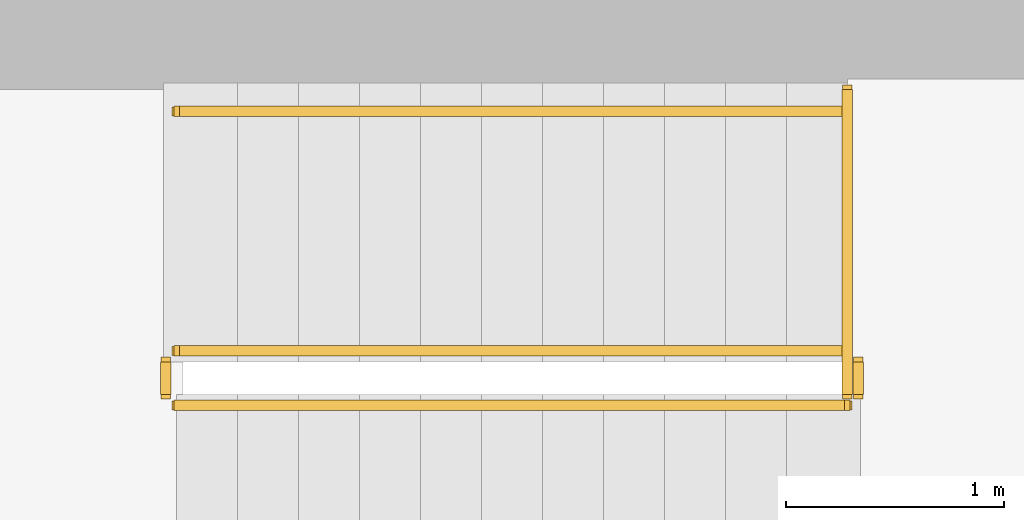
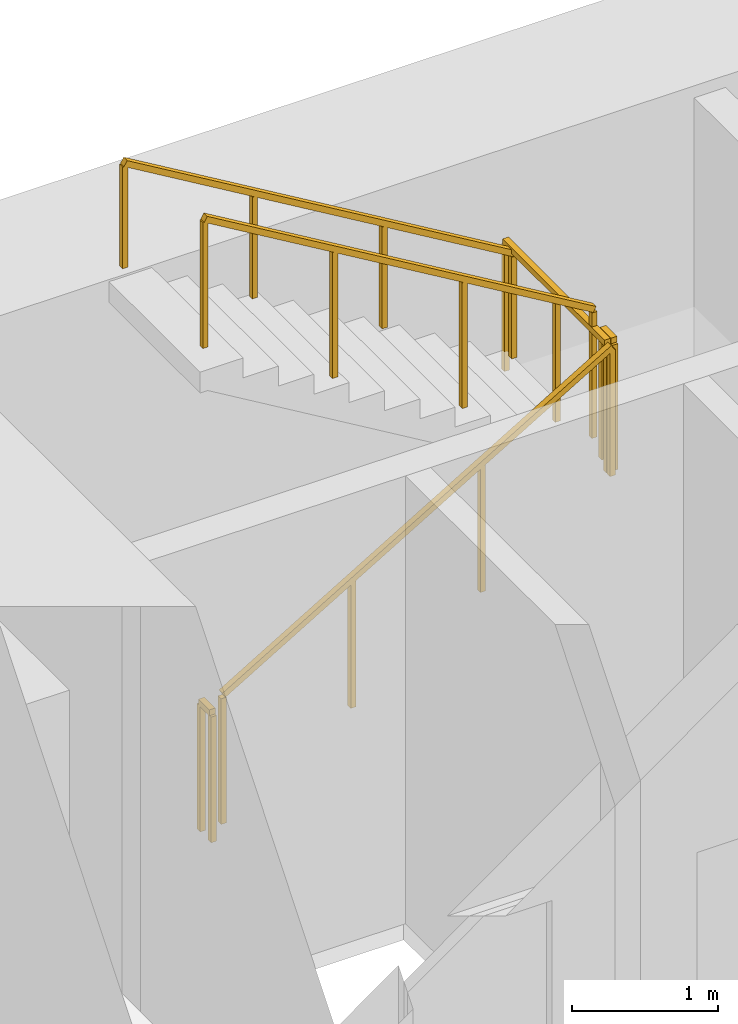
# One storey, part 15 of 16: 6 railings.
"""IFC4 building model written with IfcOpenShell, lengths in metres."""

import ifcopenshell
import ifcopenshell.guid

model = None  # the IFC model being written
_history = None  # IfcOwnerHistory: only IFC2X3 demands one
_inside = {}  # id of a spatial element -> (the spatial element, [elements in it])
_under = {}  # id of a project, library or spatial element -> (it, [spatial elements below it])
_declared = {}  # id of a project -> (the project, [libraries it declares])
_typed = {}  # id of a type object -> (the type object, [elements of that type])
_made_of = {}  # id of a material, layer set ... -> (it, [elements and type objects made of it])


def new_model(schema):
    """Start an empty IFC model of exactly this schema.

    Asked for "IFC4X3", IfcOpenShell would pick the latest addendum, in which some entities
    have other attributes; the version numbers below select the first issue.
    IFC2X3 requires an IfcOwnerHistory on every rooted entity: one is made here for all.
    """
    global model, _history
    if schema == "IFC4X3":
        model = ifcopenshell.file(schema_version=(4, 3, 0, 0))
    else:
        model = ifcopenshell.file(schema=schema)
    _inside.clear()
    _under.clear()
    _declared.clear()
    _typed.clear()
    _made_of.clear()
    _history = None
    if model.schema == "IFC2X3":
        org = make("IfcOrganization", Name="unknown")
        user = make(
            "IfcPersonAndOrganization",
            ThePerson=make("IfcPerson", FamilyName="unknown"),
            TheOrganization=org,
        )
        app = make(
            "IfcApplication",
            ApplicationDeveloper=org,
            Version="unknown",
            ApplicationFullName="unknown",
            ApplicationIdentifier="unknown",
        )
        _history = make(
            "IfcOwnerHistory",
            OwningUser=user,
            OwningApplication=app,
            ChangeAction="ADDED",
            CreationDate=0,
        )
    return model


def make(cls, **values):
    """One entity of the class cls with the attributes given. An attribute that is None is left unset."""
    return model.create_entity(
        cls, **{name: value for name, value in values.items() if value is not None}
    )


def rooted(cls, **values):
    """An entity with a GlobalId (a new one), such as an element, a storey or a relation."""
    return make(cls, GlobalId=ifcopenshell.guid.new(), OwnerHistory=_history, **values)


def si_unit(unit_type, name, prefix=None):
    """IfcSIUnit, for example si_unit("LENGTHUNIT", "METRE", prefix="MILLI")."""
    return make("IfcSIUnit", UnitType=unit_type, Prefix=prefix, Name=name)


def assignment(units):
    """IfcUnitAssignment: the units of a project."""
    return None if units is None else make("IfcUnitAssignment", Units=units)


def point(xyz):
    """IfcCartesianPoint."""
    return None if xyz is None else make("IfcCartesianPoint", Coordinates=xyz)


def direction(xyz):
    """IfcDirection."""
    return None if xyz is None else make("IfcDirection", DirectionRatios=xyz)


def frame(location, z_axis=None, x_axis=None):
    """IfcAxis2Placement3D, a coordinate frame: its origin and axes. An axis left out is left unset."""
    return make(
        "IfcAxis2Placement3D",
        Location=point(location),
        Axis=direction(z_axis),
        RefDirection=direction(x_axis),
    )


def frame_2d(location, x_axis=None):
    """IfcAxis2Placement2D, a coordinate frame in the plane: its origin and x axis."""
    return make(
        "IfcAxis2Placement2D", Location=point(location), RefDirection=direction(x_axis)
    )


def origin():
    """The frame at (0, 0, 0) with its axes left unset."""
    return frame((0.0, 0.0, 0.0))


def origin_2d():
    """The frame at (0, 0) in the plane with its x axis left unset."""
    return frame_2d((0.0, 0.0))


def place(relative_to, where):
    """IfcLocalPlacement: puts the frame where relative to a parent placement (None: the world)."""
    return make(
        "IfcLocalPlacement", PlacementRelTo=relative_to, RelativePlacement=where
    )


def context(
    kind, dimensions, precision=None, world=None, true_north=None, identifier=None
):
    """IfcGeometricRepresentationContext, for example the 3D "Model" context."""
    return make(
        "IfcGeometricRepresentationContext",
        ContextIdentifier=identifier,
        ContextType=kind,
        CoordinateSpaceDimension=dimensions,
        Precision=precision,
        WorldCoordinateSystem=world,
        TrueNorth=true_north,
    )


def subcontext(parent, identifier, kind, view, scale=None):
    """IfcGeometricRepresentationSubContext, for example "Body" below "Model"."""
    return make(
        "IfcGeometricRepresentationSubContext",
        ContextIdentifier=identifier,
        ContextType=kind,
        ParentContext=parent,
        TargetScale=scale,
        TargetView=view,
    )


def project(units=None, contexts=None):
    """IfcProject with its units and contexts."""
    return rooted(
        "IfcProject",
        Name="project",
        RepresentationContexts=contexts,
        UnitsInContext=assignment(units),
    )


def spatial(cls, under=None, at=None, **own):
    """A site, building, storey or space (cls), placed at a placement, below another one or the project."""
    s = rooted(cls, ObjectPlacement=at, **own)
    if under is not None:
        _under.setdefault(under.id(), (under, []))[1].append(s)
    return s


def profile(cls, at=None, kind="AREA", **sizes):
    """A parametric profile (cls). Its sizes go by their IFC names, for example OverallWidth=200.0."""
    return make(cls, ProfileType=kind, Position=at, **sizes)


def rectangle(**sizes):
    """IfcRectangleProfileDef."""
    return profile("IfcRectangleProfileDef", **sizes)


def extrude(swept, where, along, depth):
    """IfcExtrudedAreaSolid: the profile swept, set in the frame where, extruded along a direction by depth."""
    return make(
        "IfcExtrudedAreaSolid",
        SweptArea=swept,
        Position=where,
        ExtrudedDirection=direction(along),
        Depth=depth,
    )


def shape(context_of_items, identifier, shape_type, items):
    """IfcShapeRepresentation: the items that make up one representation, for example the "Body"."""
    return make(
        "IfcShapeRepresentation",
        ContextOfItems=context_of_items,
        RepresentationIdentifier=identifier,
        RepresentationType=shape_type,
        Items=items,
    )


def material(Name=None, Category=None):
    """IfcMaterial."""
    return make("IfcMaterial", Name=Name, Category=Category)


def made_of(thing, what):
    """Note that an element or type object is made of a material, layer set ...; save() writes the relation."""
    if what is not None:
        _made_of.setdefault(what.id(), (what, []))[1].append(thing)
    return thing


def type_object(cls, material=None, **own):
    """A type object (cls), such as IfcWallType, which elements share."""
    return made_of(rooted(cls, **own), material)


def element(
    cls,
    number,
    at=None,
    inside=None,
    cuts=None,
    type_object=None,
    material=None,
    context=None,
    identifier="Body",
    shape_type=None,
    held_by="IfcProductDefinitionShape",
    body=None,
    shapes=None,
    **own,
):
    """One element of the class cls, such as IfcWall. Its Tag is "e" and its number.

    at: its placement. inside: the storey or other place that contains it. cuts: it is an
    opening in that element (IfcRelVoidsElement). A single representation is given by context,
    identifier, shape_type and body (its items); several are given by shapes. held_by: the class
    of the entity that holds the representations. save() writes the other relations.
    """
    e = rooted(cls, Tag="e%d" % number, ObjectPlacement=at, **own)
    if body is not None:
        shapes = [shape(context, identifier, shape_type, body)]
    if shapes is not None:
        e.Representation = make(held_by, Representations=shapes)
    if inside is not None:
        _inside.setdefault(inside.id(), (inside, []))[1].append(e)
    if cuts is not None:
        rooted(
            "IfcRelVoidsElement", RelatingBuildingElement=cuts, RelatedOpeningElement=e
        )
    if type_object is not None:
        _typed.setdefault(type_object.id(), (type_object, []))[1].append(e)
    return made_of(e, material)


def aggregate(whole, parts):
    """IfcRelAggregates: a whole, such as a stair, and the parts it consists of."""
    return rooted("IfcRelAggregates", RelatingObject=whole, RelatedObjects=parts)


def save(model, path):
    """Write the relations noted so far, then the file.

    IfcRelAggregates (storeys below a building ...), IfcRelContainedInSpatialStructure (elements
    in a storey), IfcRelDefinesByType, IfcRelAssociatesMaterial and IfcRelDeclares: one each for
    every whole, place, type object, material and project.
    """
    for whole, parts in _under.values():
        aggregate(whole, parts)
    for where, things in _inside.values():
        rooted(
            "IfcRelContainedInSpatialStructure",
            RelatedElements=things,
            RelatingStructure=where,
        )
    for kind, things in _typed.values():
        rooted("IfcRelDefinesByType", RelatedObjects=things, RelatingType=kind)
    for what, things in _made_of.values():
        rooted("IfcRelAssociatesMaterial", RelatedObjects=things, RelatingMaterial=what)
    for by, libraries in _declared.values():
        rooted("IfcRelDeclares", RelatingContext=by, RelatedDefinitions=libraries)
    model.write(path)


model = new_model("IFC4")

# Units and contexts
model_context = context("Model", 3, precision=1e-05, world=origin(), true_north=direction((0.0, 1.0)))
body_context = subcontext(model_context, "Body", "Model", "MODEL_VIEW")
ifc_project = project(units=[si_unit("LENGTHUNIT", "METRE"), si_unit("AREAUNIT", "SQUARE_METRE"), si_unit("VOLUMEUNIT", "CUBIC_METRE"), si_unit("PLANEANGLEUNIT", "RADIAN"), si_unit("MASSUNIT", "GRAM", prefix="KILO")], contexts=[model_context])

# Site, building, storey
site_placement = place(None, origin())
site = spatial("IfcSite", under=ifc_project, at=site_placement, CompositionType="ELEMENT")
building_placement = place(site_placement, origin())
building = spatial("IfcBuilding", under=site, at=building_placement, Name="Sennacour Bend Tower", CompositionType="ELEMENT")
storey_placement = place(building_placement, frame((0.0, 0.0, 73.0)))
storey = spatial("IfcBuildingStorey", under=building, at=storey_placement, Name="L16", CompositionType="ELEMENT", Elevation=73.0)

# Railings
ifc_material = material(Name="Stainless steel", Category="steel")
railing_type_1 = type_object("IfcRailingType", Name="RL-GUARD-1100", PredefinedType="GUARDRAIL", material=ifc_material)
railing_1_placement = place(storey_placement, frame((56.699951171875, 19.85009765625, 0.166748046875)))
element("IfcRailing", 1, at=railing_1_placement, inside=storey, type_object=railing_type_1, Name="L16 SA2 stair guard 1", PredefinedType="GUARDRAIL", context=body_context, shape_type="SweptSolid", body=[
    extrude(rectangle(XDim=0.048095703125, YDim=0.048095703125, at=origin_2d()), frame((0.0, 0.0, 1.076171875), z_axis=(0.859308565015, 0.0, 0.511457515432), x_axis=(0.0, 1.0, 0.0)), (0.0, 0.0, 1.0), 3.58447265625),
    extrude(rectangle(XDim=0.0419921875, YDim=0.0419921875, at=origin_2d()), origin(), (0.0, 0.0, 1.0), 1.052001953125),
    extrude(rectangle(XDim=0.0419921875, YDim=0.0419921875, at=origin_2d()), frame((1.026611328125, 0.0, 0.611083984375)), (0.0, 0.0, 1.0), 1.052001953125),
    extrude(rectangle(XDim=0.0419921875, YDim=0.0419921875, at=origin_2d()), frame((2.053466796875, 0.0, 1.22216796875)), (0.0, 0.0, 1.0), 1.052001953125),
    extrude(rectangle(XDim=0.0419921875, YDim=0.0419921875, at=origin_2d()), frame((3.080078125, 0.0, 1.833251953125)), (0.0, 0.0, 1.0), 1.052001953125),
])
railing_2_placement = place(storey_placement, frame((59.830078125, 19.89990234375, 2.0)))
element("IfcRailing", 2, at=railing_2_placement, inside=storey, type_object=railing_type_1, Name="L16 SA2 stair guard 2", PredefinedType="GUARDRAIL", context=body_context, shape_type="SweptSolid", body=[
    extrude(rectangle(XDim=0.048095703125, YDim=0.048095703125, at=origin_2d()), frame((0.0, 0.0, 1.076171875), z_axis=(0.0, 1.0, 0.0), x_axis=(-1.0, 0.0, 0.0)), (0.0, 0.0, 1.0), 0.150146484375),
    extrude(rectangle(XDim=0.0419921875, YDim=0.0419921875, at=origin_2d()), origin(), (0.0, 0.0, 1.0), 1.052001953125),
    extrude(rectangle(XDim=0.0419921875, YDim=0.0419921875, at=origin_2d()), frame((0.0, 0.150146484375, 0.0)), (0.0, 0.0, 1.0), 1.052001953125),
])
railing_3_placement = place(storey_placement, frame((59.780029296875, 20.10009765625, 2.166748046875)))
element("IfcRailing", 3, at=railing_3_placement, inside=storey, type_object=railing_type_1, Name="L16 SA2 stair guard 4", PredefinedType="GUARDRAIL", context=body_context, shape_type="SweptSolid", body=[
    extrude(rectangle(XDim=0.048095703125, YDim=0.048095703125, at=origin_2d()), frame((0.0, 0.0, 1.076171875), z_axis=(-0.859308565015, 0.0, 0.511457515432), x_axis=(0.0, -1.0, 0.0)), (0.0, 0.0, 1.0), 3.58447265625),
    extrude(rectangle(XDim=0.0419921875, YDim=0.0419921875, at=origin_2d()), origin(), (0.0, 0.0, 1.0), 1.052001953125),
    extrude(rectangle(XDim=0.0419921875, YDim=0.0419921875, at=origin_2d()), frame((-1.026611328125, 0.0, 0.611083984375)), (0.0, 0.0, 1.0), 1.052001953125),
    extrude(rectangle(XDim=0.0419921875, YDim=0.0419921875, at=origin_2d()), frame((-2.053466796875, 0.0, 1.22216796875)), (0.0, 0.0, 1.0), 1.052001953125),
    extrude(rectangle(XDim=0.0419921875, YDim=0.0419921875, at=origin_2d()), frame((-3.080078125, 0.0, 1.833251953125)), (0.0, 0.0, 1.0), 1.052001953125),
])
railing_4_placement = place(storey_placement, frame((56.64990234375, 19.89990234375, 0.0)))
element("IfcRailing", 4, at=railing_4_placement, inside=storey, type_object=railing_type_1, Name="L16 SA2 stair guard 5", PredefinedType="GUARDRAIL", context=body_context, shape_type="SweptSolid", body=[
    extrude(rectangle(XDim=0.048095703125, YDim=0.048095703125, at=origin_2d()), frame((0.0, 0.0, 1.076171875), z_axis=(0.0, 1.0, 0.0), x_axis=(-1.0, 0.0, 0.0)), (0.0, 0.0, 1.0), 0.150146484375),
    extrude(rectangle(XDim=0.0419921875, YDim=0.0419921875, at=origin_2d()), origin(), (0.0, 0.0, 1.0), 1.052001953125),
    extrude(rectangle(XDim=0.0419921875, YDim=0.0419921875, at=origin_2d()), frame((0.0, 0.150146484375, 0.0)), (0.0, 0.0, 1.0), 1.052001953125),
])
railing_5_placement = place(storey_placement, frame((59.780029296875, 19.89990234375, 2.0)))
element("IfcRailing", 5, at=railing_5_placement, inside=storey, type_object=railing_type_1, Name="L16 SA2 landing edge guard 27", PredefinedType="GUARDRAIL", context=body_context, shape_type="SweptSolid", body=[
    extrude(rectangle(XDim=0.048095703125, YDim=0.048095703125, at=origin_2d()), frame((0.0, 0.0, 1.076171875), z_axis=(0.0, 1.0, 0.0), x_axis=(-1.0, 0.0, 0.0)), (0.0, 0.0, 1.0), 1.400146484375),
    extrude(rectangle(XDim=0.0419921875, YDim=0.0419921875, at=origin_2d()), origin(), (0.0, 0.0, 1.0), 1.052001953125),
    extrude(rectangle(XDim=0.0419921875, YDim=0.0419921875, at=origin_2d()), frame((0.0, 0.7001953125, 0.0)), (0.0, 0.0, 1.0), 1.052001953125),
    extrude(rectangle(XDim=0.0419921875, YDim=0.0419921875, at=origin_2d()), frame((0.0, 1.400146484375, 0.0)), (0.0, 0.0, 1.0), 1.052001953125),
])
railing_type_2 = type_object("IfcRailingType", Name="RL-HANDRAIL-900", PredefinedType="HANDRAIL", material=ifc_material)
railing_6_placement = place(storey_placement, frame((59.780029296875, 21.199951171875, 2.166748046875)))
element("IfcRailing", 6, at=railing_6_placement, inside=storey, type_object=railing_type_2, Name="L16 SA2 stair handrail 2", PredefinedType="HANDRAIL", context=body_context, shape_type="SweptSolid", body=[
    extrude(rectangle(XDim=0.048095703125, YDim=0.048095703125, at=origin_2d()), frame((0.0, 0.0, 0.8759765625), z_axis=(-0.859308565015, 0.0, 0.511457515432), x_axis=(0.0, -1.0, 0.0)), (0.0, 0.0, 1.0), 3.58447265625),
    extrude(rectangle(XDim=0.0419921875, YDim=0.0419921875, at=origin_2d()), origin(), (0.0, 0.0, 1.0), 0.851806640625),
    extrude(rectangle(XDim=0.0419921875, YDim=0.0419921875, at=origin_2d()), frame((-1.026611328125, 0.0, 0.611083984375)), (0.0, 0.0, 1.0), 0.851806640625),
    extrude(rectangle(XDim=0.0419921875, YDim=0.0419921875, at=origin_2d()), frame((-2.053466796875, 0.0, 1.22216796875)), (0.0, 0.0, 1.0), 0.851806640625),
    extrude(rectangle(XDim=0.0419921875, YDim=0.0419921875, at=origin_2d()), frame((-3.080078125, 0.0, 1.833251953125)), (0.0, 0.0, 1.0), 0.851806640625),
])

save(model, "model.ifc")
